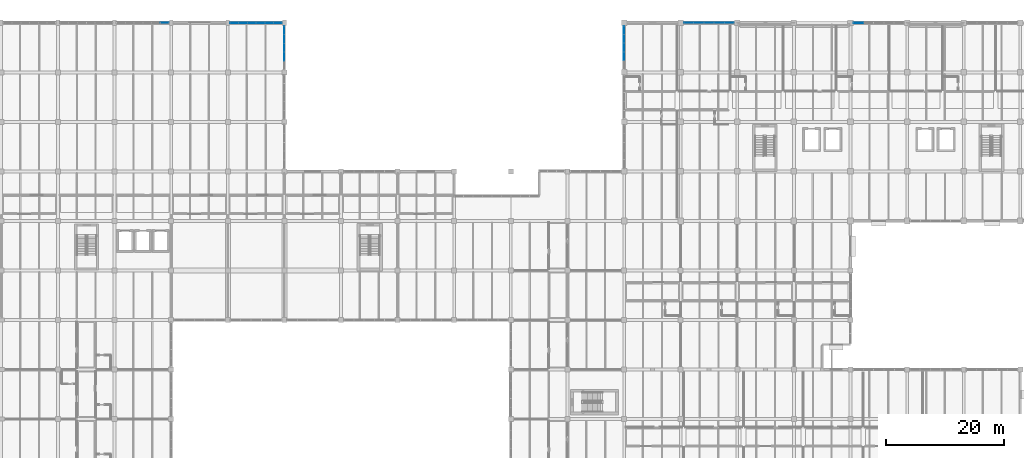
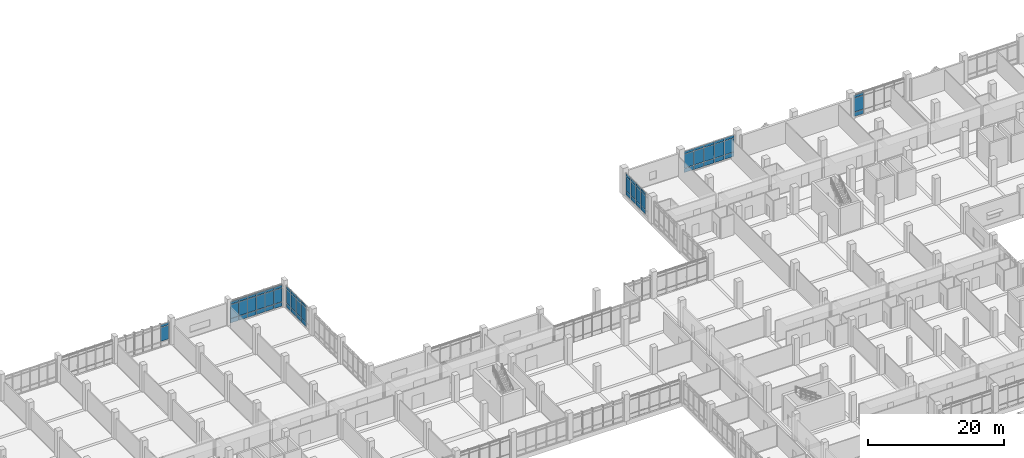
# One storey, part 109 of 152: 62 plates, 6 elements without a shape of their own.
"""IFC4 building model written with IfcOpenShell, lengths in metres."""

from ifc_helpers import new_model, si_unit, direction, frame, origin, origin_2d, place, context, subcontext, project, spatial, rectangle, extrude, material, layer, layer_set, type_object, element, aggregate, save


model = new_model("IFC4")

# Units and contexts
model_context = context("Model", 3, precision=1e-05, world=origin(), true_north=direction((0.0, 1.0)))
body_context = subcontext(model_context, "Body", "Model", "MODEL_VIEW")
ifc_project = project(units=[si_unit("LENGTHUNIT", "METRE"), si_unit("AREAUNIT", "SQUARE_METRE"), si_unit("VOLUMEUNIT", "CUBIC_METRE"), si_unit("PLANEANGLEUNIT", "RADIAN"), si_unit("MASSUNIT", "GRAM", prefix="KILO")], contexts=[model_context])

# Site, building, storey
site_placement = place(None, origin())
site = spatial("IfcSite", under=ifc_project, at=site_placement, CompositionType="ELEMENT")
building_placement = place(site_placement, origin())
building = spatial("IfcBuilding", under=site, at=building_placement, Name="Oolite Switchyard Hospital", CompositionType="ELEMENT")
storey_placement = place(building_placement, frame((0.0, 0.0, 5.10009765625)))
storey = spatial("IfcBuildingStorey", under=building, at=storey_placement, Name="L01", CompositionType="ELEMENT", Elevation=5.10009765625)

# Curtain wall, plates
ifc_material_1 = material(Name="Thermally broken aluminum frame with laminated impact glazing", Category="aluminium")
curtain_wall_type_1 = type_object("IfcCurtainWallType", Name="CW-UNIT-96X48", PredefinedType="USERDEFINED", material=ifc_material_1)
curtain_wall_1_placement = place(storey_placement, origin())
curtain_wall_1 = element("IfcCurtainWall", 1, at=curtain_wall_1_placement, inside=storey, type_object=curtain_wall_type_1, Name="L01 Unitised Curtain Wall 156", ObjectType="UNITISED", PredefinedType="USERDEFINED")
ifc_material_2 = material(Name="Insulated fluoropolymer-coated aluminum spandrel panel", Category="aluminium")
ifc_layer_1 = layer(ifc_material_2, 0.070068359375)
ifc_layer_set_1 = layer_set([ifc_layer_1], Name="CW-PNL-SPN70")
plate_type_1 = type_object("IfcPlateType", Name="CW-PNL-SPN70", PredefinedType="CURTAIN_PANEL", material=ifc_layer_set_1)
plate_1_placement = place(storey_placement, frame((68.30078125, 134.39990234375, 0.06005859375), z_axis=(0.0, 0.0, 1.0), x_axis=(1.0, 0.0, 0.0)))
plate_1 = element("IfcPlate", 2, at=plate_1_placement, type_object=plate_type_1, Name="CW-02 panel 1.1", PredefinedType="CURTAIN_PANEL", context=body_context, shape_type="SweptSolid", body=[
    extrude(rectangle(XDim=1.381591796875, YDim=0.070068359375, at=origin_2d()), origin(), (0.0, 0.0, 1.0), 0.760009765625),
])
plate_2_placement = place(storey_placement, frame((68.30078125, 134.39990234375, 0.8798828125), z_axis=(0.0, 0.0, 1.0), x_axis=(1.0, 0.0, 0.0)))
plate_2 = element("IfcPlate", 3, at=plate_2_placement, type_object=plate_type_1, Name="CW-02 panel 1.2", PredefinedType="CURTAIN_PANEL", context=body_context, shape_type="SweptSolid", body=[
    extrude(rectangle(XDim=1.381591796875, YDim=0.070068359375, at=origin_2d()), origin(), (0.0, 0.0, 1.0), 2.47998046875),
])
plate_3_placement = place(storey_placement, frame((68.30078125, 134.39990234375, 3.419921875), z_axis=(0.0, 0.0, 1.0), x_axis=(1.0, 0.0, 0.0)))
plate_3 = element("IfcPlate", 4, at=plate_3_placement, type_object=plate_type_1, Name="CW-02 panel 1.3", PredefinedType="CURTAIN_PANEL", context=body_context, shape_type="SweptSolid", body=[
    extrude(rectangle(XDim=1.381591796875, YDim=0.070068359375, at=origin_2d()), origin(), (0.0, 0.0, 1.0), 0.4599609375),
])
plate_4_placement = place(storey_placement, frame((69.77001953125, 134.39990234375, 0.06005859375), z_axis=(0.0, 0.0, 1.0), x_axis=(1.0, 0.0, 0.0)))
plate_4 = element("IfcPlate", 5, at=plate_4_placement, type_object=plate_type_1, Name="CW-02 panel 2.1", PredefinedType="CURTAIN_PANEL", context=body_context, shape_type="SweptSolid", body=[
    extrude(rectangle(XDim=1.416748046875, YDim=0.070068359375, at=origin_2d()), origin(), (0.0, 0.0, 1.0), 0.760009765625),
])
plate_5_placement = place(storey_placement, frame((69.77001953125, 134.39990234375, 0.8798828125), z_axis=(0.0, 0.0, 1.0), x_axis=(1.0, 0.0, 0.0)))
plate_5 = element("IfcPlate", 6, at=plate_5_placement, type_object=plate_type_1, Name="CW-02 panel 2.2", PredefinedType="CURTAIN_PANEL", context=body_context, shape_type="SweptSolid", body=[
    extrude(rectangle(XDim=1.416748046875, YDim=0.070068359375, at=origin_2d()), origin(), (0.0, 0.0, 1.0), 2.47998046875),
])
plate_6_placement = place(storey_placement, frame((69.77001953125, 134.39990234375, 3.419921875), z_axis=(0.0, 0.0, 1.0), x_axis=(1.0, 0.0, 0.0)))
plate_6 = element("IfcPlate", 7, at=plate_6_placement, type_object=plate_type_1, Name="CW-02 panel 2.3", PredefinedType="CURTAIN_PANEL", context=body_context, shape_type="SweptSolid", body=[
    extrude(rectangle(XDim=1.416748046875, YDim=0.070068359375, at=origin_2d()), origin(), (0.0, 0.0, 1.0), 0.4599609375),
])
plate_7_placement = place(storey_placement, frame((71.256591796875, 134.39990234375, 0.06005859375), z_axis=(0.0, 0.0, 1.0), x_axis=(1.0, 0.0, 0.0)))
plate_7 = element("IfcPlate", 8, at=plate_7_placement, type_object=plate_type_1, Name="CW-02 panel 3.1", PredefinedType="CURTAIN_PANEL", context=body_context, shape_type="SweptSolid", body=[
    extrude(rectangle(XDim=1.416748046875, YDim=0.070068359375, at=origin_2d()), origin(), (0.0, 0.0, 1.0), 0.760009765625),
])
plate_8_placement = place(storey_placement, frame((71.256591796875, 134.39990234375, 0.8798828125), z_axis=(0.0, 0.0, 1.0), x_axis=(1.0, 0.0, 0.0)))
plate_8 = element("IfcPlate", 9, at=plate_8_placement, type_object=plate_type_1, Name="CW-02 panel 3.2", PredefinedType="CURTAIN_PANEL", context=body_context, shape_type="SweptSolid", body=[
    extrude(rectangle(XDim=1.416748046875, YDim=0.070068359375, at=origin_2d()), origin(), (0.0, 0.0, 1.0), 2.47998046875),
])
plate_9_placement = place(storey_placement, frame((71.256591796875, 134.39990234375, 3.419921875), z_axis=(0.0, 0.0, 1.0), x_axis=(1.0, 0.0, 0.0)))
plate_9 = element("IfcPlate", 10, at=plate_9_placement, type_object=plate_type_1, Name="CW-02 panel 3.3", PredefinedType="CURTAIN_PANEL", context=body_context, shape_type="SweptSolid", body=[
    extrude(rectangle(XDim=1.416748046875, YDim=0.070068359375, at=origin_2d()), origin(), (0.0, 0.0, 1.0), 0.4599609375),
])
plate_10_placement = place(storey_placement, frame((72.743408203125, 134.39990234375, 0.06005859375), z_axis=(0.0, 0.0, 1.0), x_axis=(1.0, 0.0, 0.0)))
plate_10 = element("IfcPlate", 11, at=plate_10_placement, type_object=plate_type_1, Name="CW-02 panel 4.1", PredefinedType="CURTAIN_PANEL", context=body_context, shape_type="SweptSolid", body=[
    extrude(rectangle(XDim=1.416748046875, YDim=0.070068359375, at=origin_2d()), origin(), (0.0, 0.0, 1.0), 0.760009765625),
])
plate_11_placement = place(storey_placement, frame((72.743408203125, 134.39990234375, 0.8798828125), z_axis=(0.0, 0.0, 1.0), x_axis=(1.0, 0.0, 0.0)))
plate_11 = element("IfcPlate", 12, at=plate_11_placement, type_object=plate_type_1, Name="CW-02 panel 4.2", PredefinedType="CURTAIN_PANEL", context=body_context, shape_type="SweptSolid", body=[
    extrude(rectangle(XDim=1.416748046875, YDim=0.070068359375, at=origin_2d()), origin(), (0.0, 0.0, 1.0), 2.47998046875),
])
plate_12_placement = place(storey_placement, frame((72.743408203125, 134.39990234375, 3.419921875), z_axis=(0.0, 0.0, 1.0), x_axis=(1.0, 0.0, 0.0)))
plate_12 = element("IfcPlate", 13, at=plate_12_placement, type_object=plate_type_1, Name="CW-02 panel 4.3", PredefinedType="CURTAIN_PANEL", context=body_context, shape_type="SweptSolid", body=[
    extrude(rectangle(XDim=1.416748046875, YDim=0.070068359375, at=origin_2d()), origin(), (0.0, 0.0, 1.0), 0.4599609375),
])
plate_13_placement = place(storey_placement, frame((74.22998046875, 134.39990234375, 0.06005859375), z_axis=(0.0, 0.0, 1.0), x_axis=(1.0, 0.0, 0.0)))
plate_13 = element("IfcPlate", 14, at=plate_13_placement, type_object=plate_type_1, Name="CW-02 panel 5.1", PredefinedType="CURTAIN_PANEL", context=body_context, shape_type="SweptSolid", body=[
    extrude(rectangle(XDim=1.416748046875, YDim=0.070068359375, at=origin_2d()), origin(), (0.0, 0.0, 1.0), 0.760009765625),
])
plate_14_placement = place(storey_placement, frame((74.22998046875, 134.39990234375, 0.8798828125), z_axis=(0.0, 0.0, 1.0), x_axis=(1.0, 0.0, 0.0)))
plate_14 = element("IfcPlate", 15, at=plate_14_placement, type_object=plate_type_1, Name="CW-02 panel 5.2", PredefinedType="CURTAIN_PANEL", context=body_context, shape_type="SweptSolid", body=[
    extrude(rectangle(XDim=1.416748046875, YDim=0.070068359375, at=origin_2d()), origin(), (0.0, 0.0, 1.0), 2.47998046875),
])
plate_15_placement = place(storey_placement, frame((74.22998046875, 134.39990234375, 3.419921875), z_axis=(0.0, 0.0, 1.0), x_axis=(1.0, 0.0, 0.0)))
plate_15 = element("IfcPlate", 16, at=plate_15_placement, type_object=plate_type_1, Name="CW-02 panel 5.3", PredefinedType="CURTAIN_PANEL", context=body_context, shape_type="SweptSolid", body=[
    extrude(rectangle(XDim=1.416748046875, YDim=0.070068359375, at=origin_2d()), origin(), (0.0, 0.0, 1.0), 0.4599609375),
])
plate_16_placement = place(storey_placement, frame((75.69921875, 134.39990234375, 0.06005859375), z_axis=(0.0, 0.0, 1.0), x_axis=(1.0, 0.0, 0.0)))
plate_16 = element("IfcPlate", 17, at=plate_16_placement, type_object=plate_type_1, Name="CW-02 panel 6.1", PredefinedType="CURTAIN_PANEL", context=body_context, shape_type="SweptSolid", body=[
    extrude(rectangle(XDim=1.381591796875, YDim=0.070068359375, at=origin_2d()), origin(), (0.0, 0.0, 1.0), 0.760009765625),
])
plate_17_placement = place(storey_placement, frame((75.69921875, 134.39990234375, 0.8798828125), z_axis=(0.0, 0.0, 1.0), x_axis=(1.0, 0.0, 0.0)))
plate_17 = element("IfcPlate", 18, at=plate_17_placement, type_object=plate_type_1, Name="CW-02 panel 6.2", PredefinedType="CURTAIN_PANEL", context=body_context, shape_type="SweptSolid", body=[
    extrude(rectangle(XDim=1.381591796875, YDim=0.070068359375, at=origin_2d()), origin(), (0.0, 0.0, 1.0), 2.47998046875),
])
plate_18_placement = place(storey_placement, frame((75.69921875, 134.39990234375, 3.419921875), z_axis=(0.0, 0.0, 1.0), x_axis=(1.0, 0.0, 0.0)))
plate_18 = element("IfcPlate", 19, at=plate_18_placement, type_object=plate_type_1, Name="CW-02 panel 6.3", PredefinedType="CURTAIN_PANEL", context=body_context, shape_type="SweptSolid", body=[
    extrude(rectangle(XDim=1.381591796875, YDim=0.070068359375, at=origin_2d()), origin(), (0.0, 0.0, 1.0), 0.4599609375),
])
aggregate(curtain_wall_1, [plate_1, plate_2, plate_3, plate_4, plate_5, plate_6, plate_7, plate_8, plate_9, plate_10, plate_11, plate_12, plate_13, plate_14, plate_15, plate_16, plate_17, plate_18])

curtain_wall_2_placement = place(storey_placement, origin())
curtain_wall_2 = element("IfcCurtainWall", 20, at=curtain_wall_2_placement, inside=storey, type_object=curtain_wall_type_1, Name="L01 Unitised Curtain Wall 158", ObjectType="UNITISED", PredefinedType="USERDEFINED")
plate_19_placement = place(storey_placement, frame((174.1669921875, 134.39990234375, 0.06005859375), z_axis=(0.0, 0.0, 1.0), x_axis=(1.0, 0.0, 0.0)))
plate_19 = element("IfcPlate", 21, at=plate_19_placement, type_object=plate_type_1, Name="CW-02 panel 1.1", PredefinedType="CURTAIN_PANEL", context=body_context, shape_type="SweptSolid", body=[
    extrude(rectangle(XDim=1.634033203125, YDim=0.070068359375, at=origin_2d()), origin(), (0.0, 0.0, 1.0), 0.760009765625),
])
plate_20_placement = place(storey_placement, frame((174.1669921875, 134.39990234375, 0.8798828125), z_axis=(0.0, 0.0, 1.0), x_axis=(1.0, 0.0, 0.0)))
plate_20 = element("IfcPlate", 22, at=plate_20_placement, type_object=plate_type_1, Name="CW-02 panel 1.2", PredefinedType="CURTAIN_PANEL", context=body_context, shape_type="SweptSolid", body=[
    extrude(rectangle(XDim=1.634033203125, YDim=0.070068359375, at=origin_2d()), origin(), (0.0, 0.0, 1.0), 2.47998046875),
])
plate_21_placement = place(storey_placement, frame((174.1669921875, 134.39990234375, 3.419921875), z_axis=(0.0, 0.0, 1.0), x_axis=(1.0, 0.0, 0.0)))
plate_21 = element("IfcPlate", 23, at=plate_21_placement, type_object=plate_type_1, Name="CW-02 panel 1.3", PredefinedType="CURTAIN_PANEL", context=body_context, shape_type="SweptSolid", body=[
    extrude(rectangle(XDim=1.634033203125, YDim=0.070068359375, at=origin_2d()), origin(), (0.0, 0.0, 1.0), 0.4599609375),
])
aggregate(curtain_wall_2, [plate_19, plate_20, plate_21])

curtain_wall_type_2 = type_object("IfcCurtainWallType", Name="CW-UNIT-84X48", PredefinedType="USERDEFINED", material=ifc_material_1)
curtain_wall_3_placement = place(storey_placement, origin())
curtain_wall_3 = element("IfcCurtainWall", 24, at=curtain_wall_3_placement, inside=storey, type_object=curtain_wall_type_2, Name="L01 Unitised Curtain Wall 178", ObjectType="UNITISED", PredefinedType="USERDEFINED")
ifc_material_3 = material(Name="Laminated hurricane-impact insulated glazing unit", Category="glass")
ifc_layer_2 = layer(ifc_material_3, 0.031982421875)
ifc_layer_set_2 = layer_set([ifc_layer_2], Name="CW-PNL-VIS32")
plate_type_2 = type_object("IfcPlateType", Name="CW-PNL-VIS32", PredefinedType="CURTAIN_PANEL", material=ifc_layer_set_2)
plate_22_placement = place(storey_placement, frame((76.800048828125, 133.144287109375, 0.06005859375), z_axis=(0.0, 0.0, 1.0), x_axis=(0.0, -1.0, 0.0)))
plate_22 = element("IfcPlate", 25, at=plate_22_placement, type_object=plate_type_2, Name="CW-07 panel 1.1", PredefinedType="CURTAIN_PANEL", context=body_context, shape_type="SweptSolid", body=[
    extrude(rectangle(XDim=1.381591796875, YDim=0.031982421875, at=origin_2d()), origin(), (0.0, 0.0, 1.0), 0.760009765625),
])
plate_23_placement = place(storey_placement, frame((76.800048828125, 133.144287109375, 0.8798828125), z_axis=(0.0, 0.0, 1.0), x_axis=(0.0, -1.0, 0.0)))
plate_23 = element("IfcPlate", 26, at=plate_23_placement, type_object=plate_type_2, Name="CW-07 panel 1.2", PredefinedType="CURTAIN_PANEL", context=body_context, shape_type="SweptSolid", body=[
    extrude(rectangle(XDim=1.381591796875, YDim=0.031982421875, at=origin_2d()), origin(), (0.0, 0.0, 1.0), 2.47998046875),
])
plate_24_placement = place(storey_placement, frame((76.800048828125, 133.144287109375, 3.419921875), z_axis=(0.0, 0.0, 1.0), x_axis=(0.0, -1.0, 0.0)))
plate_24 = element("IfcPlate", 27, at=plate_24_placement, type_object=plate_type_2, Name="CW-07 panel 1.3", PredefinedType="CURTAIN_PANEL", context=body_context, shape_type="SweptSolid", body=[
    extrude(rectangle(XDim=1.381591796875, YDim=0.031982421875, at=origin_2d()), origin(), (0.0, 0.0, 1.0), 0.4599609375),
])
plate_25_placement = place(storey_placement, frame((76.800048828125, 131.6689453125, 0.06005859375), z_axis=(0.0, 0.0, 1.0), x_axis=(0.0, -1.0, 0.0)))
plate_25 = element("IfcPlate", 28, at=plate_25_placement, type_object=plate_type_2, Name="CW-07 panel 2.1", PredefinedType="CURTAIN_PANEL", context=body_context, shape_type="SweptSolid", body=[
    extrude(rectangle(XDim=1.4189453125, YDim=0.031982421875, at=origin_2d()), origin(), (0.0, 0.0, 1.0), 0.760009765625),
])
plate_26_placement = place(storey_placement, frame((76.800048828125, 131.6689453125, 0.8798828125), z_axis=(0.0, 0.0, 1.0), x_axis=(0.0, -1.0, 0.0)))
plate_26 = element("IfcPlate", 29, at=plate_26_placement, type_object=plate_type_2, Name="CW-07 panel 2.2", PredefinedType="CURTAIN_PANEL", context=body_context, shape_type="SweptSolid", body=[
    extrude(rectangle(XDim=1.4189453125, YDim=0.031982421875, at=origin_2d()), origin(), (0.0, 0.0, 1.0), 2.47998046875),
])
plate_27_placement = place(storey_placement, frame((76.800048828125, 131.6689453125, 3.419921875), z_axis=(0.0, 0.0, 1.0), x_axis=(0.0, -1.0, 0.0)))
plate_27 = element("IfcPlate", 30, at=plate_27_placement, type_object=plate_type_2, Name="CW-07 panel 2.3", PredefinedType="CURTAIN_PANEL", context=body_context, shape_type="SweptSolid", body=[
    extrude(rectangle(XDim=1.4189453125, YDim=0.031982421875, at=origin_2d()), origin(), (0.0, 0.0, 1.0), 0.4599609375),
])
plate_28_placement = place(storey_placement, frame((76.800048828125, 130.175048828125, 0.06005859375), z_axis=(0.0, 0.0, 1.0), x_axis=(0.0, -1.0, 0.0)))
plate_28 = element("IfcPlate", 31, at=plate_28_placement, type_object=plate_type_2, Name="CW-07 panel 3.1", PredefinedType="CURTAIN_PANEL", context=body_context, shape_type="SweptSolid", body=[
    extrude(rectangle(XDim=1.4189453125, YDim=0.031982421875, at=origin_2d()), origin(), (0.0, 0.0, 1.0), 0.760009765625),
])
plate_29_placement = place(storey_placement, frame((76.800048828125, 130.175048828125, 0.8798828125), z_axis=(0.0, 0.0, 1.0), x_axis=(0.0, -1.0, 0.0)))
plate_29 = element("IfcPlate", 32, at=plate_29_placement, type_object=plate_type_2, Name="CW-07 panel 3.2", PredefinedType="CURTAIN_PANEL", context=body_context, shape_type="SweptSolid", body=[
    extrude(rectangle(XDim=1.4189453125, YDim=0.031982421875, at=origin_2d()), origin(), (0.0, 0.0, 1.0), 2.47998046875),
])
plate_30_placement = place(storey_placement, frame((76.800048828125, 130.175048828125, 3.419921875), z_axis=(0.0, 0.0, 1.0), x_axis=(0.0, -1.0, 0.0)))
plate_30 = element("IfcPlate", 33, at=plate_30_placement, type_object=plate_type_2, Name="CW-07 panel 3.3", PredefinedType="CURTAIN_PANEL", context=body_context, shape_type="SweptSolid", body=[
    extrude(rectangle(XDim=1.4189453125, YDim=0.031982421875, at=origin_2d()), origin(), (0.0, 0.0, 1.0), 0.4599609375),
])
plate_31_placement = place(storey_placement, frame((76.800048828125, 128.680908203125, 0.06005859375), z_axis=(0.0, 0.0, 1.0), x_axis=(0.0, -1.0, 0.0)))
plate_31 = element("IfcPlate", 34, at=plate_31_placement, type_object=plate_type_2, Name="CW-07 panel 4.1", PredefinedType="CURTAIN_PANEL", context=body_context, shape_type="SweptSolid", body=[
    extrude(rectangle(XDim=1.4189453125, YDim=0.031982421875, at=origin_2d()), origin(), (0.0, 0.0, 1.0), 0.760009765625),
])
plate_32_placement = place(storey_placement, frame((76.800048828125, 128.680908203125, 0.8798828125), z_axis=(0.0, 0.0, 1.0), x_axis=(0.0, -1.0, 0.0)))
plate_32 = element("IfcPlate", 35, at=plate_32_placement, type_object=plate_type_2, Name="CW-07 panel 4.2", PredefinedType="CURTAIN_PANEL", context=body_context, shape_type="SweptSolid", body=[
    extrude(rectangle(XDim=1.4189453125, YDim=0.031982421875, at=origin_2d()), origin(), (0.0, 0.0, 1.0), 2.47998046875),
])
plate_33_placement = place(storey_placement, frame((76.800048828125, 128.680908203125, 3.419921875), z_axis=(0.0, 0.0, 1.0), x_axis=(0.0, -1.0, 0.0)))
plate_33 = element("IfcPlate", 36, at=plate_33_placement, type_object=plate_type_2, Name="CW-07 panel 4.3", PredefinedType="CURTAIN_PANEL", context=body_context, shape_type="SweptSolid", body=[
    extrude(rectangle(XDim=1.4189453125, YDim=0.031982421875, at=origin_2d()), origin(), (0.0, 0.0, 1.0), 0.4599609375),
])
aggregate(curtain_wall_3, [plate_22, plate_23, plate_24, plate_25, plate_26, plate_27, plate_28, plate_29, plate_30, plate_31, plate_32, plate_33])

curtain_wall_4_placement = place(storey_placement, origin())
curtain_wall_4 = element("IfcCurtainWall", 37, at=curtain_wall_4_placement, inside=storey, type_object=curtain_wall_type_1, Name="L01 Unitised Curtain Wall 155", ObjectType="UNITISED", PredefinedType="USERDEFINED")
ifc_layer_3 = layer(ifc_material_3, 0.035888671875)
ifc_layer_set_3 = layer_set([ifc_layer_3], Name="CW-PNL-VIS36")
plate_type_3 = type_object("IfcPlateType", Name="CW-PNL-VIS36", PredefinedType="CURTAIN_PANEL", material=ifc_layer_set_3)
plate_34_placement = place(storey_placement, frame((56.501708984375, 134.39990234375, 0.88720703125), z_axis=(0.0, 0.0, 1.0), x_axis=(1.0, 0.0, 0.0)))
plate_34 = element("IfcPlate", 38, at=plate_34_placement, type_object=plate_type_3, Name="CW-02 panel 6.2", PredefinedType="CURTAIN_PANEL", context=body_context, shape_type="SweptSolid", body=[
    extrude(rectangle(XDim=1.396728515625, YDim=0.035888671875, at=origin_2d()), origin(), (0.0, 0.0, 1.0), 2.465087890625),
])
plate_35_placement = place(storey_placement, frame((56.501708984375, 134.39990234375, 3.427490234375), z_axis=(0.0, 0.0, 1.0), x_axis=(1.0, 0.0, 0.0)))
plate_35 = element("IfcPlate", 39, at=plate_35_placement, type_object=plate_type_3, Name="CW-02 panel 6.3", PredefinedType="CURTAIN_PANEL", context=body_context, shape_type="SweptSolid", body=[
    extrude(rectangle(XDim=1.396728515625, YDim=0.035888671875, at=origin_2d()), origin(), (0.0, 0.0, 1.0), 0.4375),
])
aggregate(curtain_wall_4, [plate_34, plate_35])

curtain_wall_5_placement = place(storey_placement, origin())
curtain_wall_5 = element("IfcCurtainWall", 40, at=curtain_wall_5_placement, inside=storey, type_object=curtain_wall_type_1, Name="L01 Unitised Curtain Wall 157", ObjectType="UNITISED", PredefinedType="USERDEFINED")
plate_36_placement = place(storey_placement, frame((145.370849609375, 134.39990234375, 0.07470703125), z_axis=(0.0, 0.0, 1.0), x_axis=(1.0, 0.0, 0.0)))
plate_36 = element("IfcPlate", 41, at=plate_36_placement, type_object=plate_type_3, Name="CW-02 panel 1.1", PredefinedType="CURTAIN_PANEL", context=body_context, shape_type="SweptSolid", body=[
    extrude(rectangle(XDim=1.611572265625, YDim=0.035888671875, at=origin_2d()), origin(), (0.0, 0.0, 1.0), 0.737548828125),
])
plate_37_placement = place(storey_placement, frame((145.370849609375, 134.39990234375, 0.88720703125), z_axis=(0.0, 0.0, 1.0), x_axis=(1.0, 0.0, 0.0)))
plate_37 = element("IfcPlate", 42, at=plate_37_placement, type_object=plate_type_3, Name="CW-02 panel 1.2", PredefinedType="CURTAIN_PANEL", context=body_context, shape_type="SweptSolid", body=[
    extrude(rectangle(XDim=1.611572265625, YDim=0.035888671875, at=origin_2d()), origin(), (0.0, 0.0, 1.0), 2.465087890625),
])
plate_38_placement = place(storey_placement, frame((145.370849609375, 134.39990234375, 3.427490234375), z_axis=(0.0, 0.0, 1.0), x_axis=(1.0, 0.0, 0.0)))
plate_38 = element("IfcPlate", 43, at=plate_38_placement, type_object=plate_type_3, Name="CW-02 panel 1.3", PredefinedType="CURTAIN_PANEL", context=body_context, shape_type="SweptSolid", body=[
    extrude(rectangle(XDim=1.611572265625, YDim=0.035888671875, at=origin_2d()), origin(), (0.0, 0.0, 1.0), 0.4375),
])
plate_39_placement = place(storey_placement, frame((147.075927734375, 134.39990234375, 0.07470703125), z_axis=(0.0, 0.0, 1.0), x_axis=(1.0, 0.0, 0.0)))
plate_39 = element("IfcPlate", 44, at=plate_39_placement, type_object=plate_type_3, Name="CW-02 panel 2.1", PredefinedType="CURTAIN_PANEL", context=body_context, shape_type="SweptSolid", body=[
    extrude(rectangle(XDim=1.64892578125, YDim=0.035888671875, at=origin_2d()), origin(), (0.0, 0.0, 1.0), 0.737548828125),
])
plate_40_placement = place(storey_placement, frame((147.075927734375, 134.39990234375, 0.88720703125), z_axis=(0.0, 0.0, 1.0), x_axis=(1.0, 0.0, 0.0)))
plate_40 = element("IfcPlate", 45, at=plate_40_placement, type_object=plate_type_3, Name="CW-02 panel 2.2", PredefinedType="CURTAIN_PANEL", context=body_context, shape_type="SweptSolid", body=[
    extrude(rectangle(XDim=1.64892578125, YDim=0.035888671875, at=origin_2d()), origin(), (0.0, 0.0, 1.0), 2.465087890625),
])
plate_41_placement = place(storey_placement, frame((147.075927734375, 134.39990234375, 3.427490234375), z_axis=(0.0, 0.0, 1.0), x_axis=(1.0, 0.0, 0.0)))
plate_41 = element("IfcPlate", 46, at=plate_41_placement, type_object=plate_type_3, Name="CW-02 panel 2.3", PredefinedType="CURTAIN_PANEL", context=body_context, shape_type="SweptSolid", body=[
    extrude(rectangle(XDim=1.64892578125, YDim=0.035888671875, at=origin_2d()), origin(), (0.0, 0.0, 1.0), 0.4375),
])
plate_42_placement = place(storey_placement, frame((148.800048828125, 134.39990234375, 0.07470703125), z_axis=(0.0, 0.0, 1.0), x_axis=(1.0, 0.0, 0.0)))
plate_42 = element("IfcPlate", 47, at=plate_42_placement, type_object=plate_type_3, Name="CW-02 panel 3.1", PredefinedType="CURTAIN_PANEL", context=body_context, shape_type="SweptSolid", body=[
    extrude(rectangle(XDim=1.64892578125, YDim=0.035888671875, at=origin_2d()), origin(), (0.0, 0.0, 1.0), 0.737548828125),
])
plate_43_placement = place(storey_placement, frame((148.800048828125, 134.39990234375, 0.88720703125), z_axis=(0.0, 0.0, 1.0), x_axis=(1.0, 0.0, 0.0)))
plate_43 = element("IfcPlate", 48, at=plate_43_placement, type_object=plate_type_3, Name="CW-02 panel 3.2", PredefinedType="CURTAIN_PANEL", context=body_context, shape_type="SweptSolid", body=[
    extrude(rectangle(XDim=1.64892578125, YDim=0.035888671875, at=origin_2d()), origin(), (0.0, 0.0, 1.0), 2.465087890625),
])
plate_44_placement = place(storey_placement, frame((148.800048828125, 134.39990234375, 3.427490234375), z_axis=(0.0, 0.0, 1.0), x_axis=(1.0, 0.0, 0.0)))
plate_44 = element("IfcPlate", 49, at=plate_44_placement, type_object=plate_type_3, Name="CW-02 panel 3.3", PredefinedType="CURTAIN_PANEL", context=body_context, shape_type="SweptSolid", body=[
    extrude(rectangle(XDim=1.64892578125, YDim=0.035888671875, at=origin_2d()), origin(), (0.0, 0.0, 1.0), 0.4375),
])
plate_45_placement = place(storey_placement, frame((150.52392578125, 134.39990234375, 0.07470703125), z_axis=(0.0, 0.0, 1.0), x_axis=(1.0, 0.0, 0.0)))
plate_45 = element("IfcPlate", 50, at=plate_45_placement, type_object=plate_type_3, Name="CW-02 panel 4.1", PredefinedType="CURTAIN_PANEL", context=body_context, shape_type="SweptSolid", body=[
    extrude(rectangle(XDim=1.64892578125, YDim=0.035888671875, at=origin_2d()), origin(), (0.0, 0.0, 1.0), 0.737548828125),
])
plate_46_placement = place(storey_placement, frame((150.52392578125, 134.39990234375, 0.88720703125), z_axis=(0.0, 0.0, 1.0), x_axis=(1.0, 0.0, 0.0)))
plate_46 = element("IfcPlate", 51, at=plate_46_placement, type_object=plate_type_3, Name="CW-02 panel 4.2", PredefinedType="CURTAIN_PANEL", context=body_context, shape_type="SweptSolid", body=[
    extrude(rectangle(XDim=1.64892578125, YDim=0.035888671875, at=origin_2d()), origin(), (0.0, 0.0, 1.0), 2.465087890625),
])
plate_47_placement = place(storey_placement, frame((150.52392578125, 134.39990234375, 3.427490234375), z_axis=(0.0, 0.0, 1.0), x_axis=(1.0, 0.0, 0.0)))
plate_47 = element("IfcPlate", 52, at=plate_47_placement, type_object=plate_type_3, Name="CW-02 panel 4.3", PredefinedType="CURTAIN_PANEL", context=body_context, shape_type="SweptSolid", body=[
    extrude(rectangle(XDim=1.64892578125, YDim=0.035888671875, at=origin_2d()), origin(), (0.0, 0.0, 1.0), 0.4375),
])
plate_48_placement = place(storey_placement, frame((152.229248046875, 134.39990234375, 0.07470703125), z_axis=(0.0, 0.0, 1.0), x_axis=(1.0, 0.0, 0.0)))
plate_48 = element("IfcPlate", 53, at=plate_48_placement, type_object=plate_type_3, Name="CW-02 panel 5.1", PredefinedType="CURTAIN_PANEL", context=body_context, shape_type="SweptSolid", body=[
    extrude(rectangle(XDim=1.611572265625, YDim=0.035888671875, at=origin_2d()), origin(), (0.0, 0.0, 1.0), 0.737548828125),
])
plate_49_placement = place(storey_placement, frame((152.229248046875, 134.39990234375, 0.88720703125), z_axis=(0.0, 0.0, 1.0), x_axis=(1.0, 0.0, 0.0)))
plate_49 = element("IfcPlate", 54, at=plate_49_placement, type_object=plate_type_3, Name="CW-02 panel 5.2", PredefinedType="CURTAIN_PANEL", context=body_context, shape_type="SweptSolid", body=[
    extrude(rectangle(XDim=1.611572265625, YDim=0.035888671875, at=origin_2d()), origin(), (0.0, 0.0, 1.0), 2.465087890625),
])
plate_50_placement = place(storey_placement, frame((152.229248046875, 134.39990234375, 3.427490234375), z_axis=(0.0, 0.0, 1.0), x_axis=(1.0, 0.0, 0.0)))
plate_50 = element("IfcPlate", 55, at=plate_50_placement, type_object=plate_type_3, Name="CW-02 panel 5.3", PredefinedType="CURTAIN_PANEL", context=body_context, shape_type="SweptSolid", body=[
    extrude(rectangle(XDim=1.611572265625, YDim=0.035888671875, at=origin_2d()), origin(), (0.0, 0.0, 1.0), 0.4375),
])
aggregate(curtain_wall_5, [plate_36, plate_37, plate_38, plate_39, plate_40, plate_41, plate_42, plate_43, plate_44, plate_45, plate_46, plate_47, plate_48, plate_49, plate_50])

curtain_wall_6_placement = place(storey_placement, origin())
curtain_wall_6 = element("IfcCurtainWall", 56, at=curtain_wall_6_placement, inside=storey, type_object=curtain_wall_type_2, Name="L01 Unitised Curtain Wall 190", ObjectType="UNITISED", PredefinedType="USERDEFINED")
ifc_layer_4 = layer(ifc_material_3, 0.0419921875)
ifc_layer_set_4 = layer_set([ifc_layer_4], Name="CW-PNL-VIS42")
plate_type_4 = type_object("IfcPlateType", Name="CW-PNL-VIS42", PredefinedType="CURTAIN_PANEL", material=ifc_layer_set_4)
plate_51_placement = place(storey_placement, frame((134.39990234375, 128.716064453125, 0.06005859375), z_axis=(0.0, 0.0, 1.0), x_axis=(0.0, 1.0, 0.0)))
plate_51 = element("IfcPlate", 57, at=plate_51_placement, type_object=plate_type_4, Name="CW-07 panel 2.1", PredefinedType="CURTAIN_PANEL", context=body_context, shape_type="SweptSolid", body=[
    extrude(rectangle(XDim=1.408935546875, YDim=0.0419921875, at=origin_2d()), origin(), (0.0, 0.0, 1.0), 0.760009765625),
])
plate_52_placement = place(storey_placement, frame((134.39990234375, 128.716064453125, 0.8798828125), z_axis=(0.0, 0.0, 1.0), x_axis=(0.0, 1.0, 0.0)))
plate_52 = element("IfcPlate", 58, at=plate_52_placement, type_object=plate_type_4, Name="CW-07 panel 2.2", PredefinedType="CURTAIN_PANEL", context=body_context, shape_type="SweptSolid", body=[
    extrude(rectangle(XDim=1.408935546875, YDim=0.0419921875, at=origin_2d()), origin(), (0.0, 0.0, 1.0), 2.47998046875),
])
plate_53_placement = place(storey_placement, frame((134.39990234375, 128.716064453125, 3.419921875), z_axis=(0.0, 0.0, 1.0), x_axis=(0.0, 1.0, 0.0)))
plate_53 = element("IfcPlate", 59, at=plate_53_placement, type_object=plate_type_4, Name="CW-07 panel 2.3", PredefinedType="CURTAIN_PANEL", context=body_context, shape_type="SweptSolid", body=[
    extrude(rectangle(XDim=1.408935546875, YDim=0.0419921875, at=origin_2d()), origin(), (0.0, 0.0, 1.0), 0.4599609375),
])
plate_54_placement = place(storey_placement, frame((134.39990234375, 130.199951171875, 0.06005859375), z_axis=(0.0, 0.0, 1.0), x_axis=(0.0, 1.0, 0.0)))
plate_54 = element("IfcPlate", 60, at=plate_54_placement, type_object=plate_type_4, Name="CW-07 panel 3.1", PredefinedType="CURTAIN_PANEL", context=body_context, shape_type="SweptSolid", body=[
    extrude(rectangle(XDim=1.408935546875, YDim=0.0419921875, at=origin_2d()), origin(), (0.0, 0.0, 1.0), 0.760009765625),
])
plate_55_placement = place(storey_placement, frame((134.39990234375, 130.199951171875, 0.8798828125), z_axis=(0.0, 0.0, 1.0), x_axis=(0.0, 1.0, 0.0)))
plate_55 = element("IfcPlate", 61, at=plate_55_placement, type_object=plate_type_4, Name="CW-07 panel 3.2", PredefinedType="CURTAIN_PANEL", context=body_context, shape_type="SweptSolid", body=[
    extrude(rectangle(XDim=1.408935546875, YDim=0.0419921875, at=origin_2d()), origin(), (0.0, 0.0, 1.0), 2.47998046875),
])
plate_56_placement = place(storey_placement, frame((134.39990234375, 130.199951171875, 3.419921875), z_axis=(0.0, 0.0, 1.0), x_axis=(0.0, 1.0, 0.0)))
plate_56 = element("IfcPlate", 62, at=plate_56_placement, type_object=plate_type_4, Name="CW-07 panel 3.3", PredefinedType="CURTAIN_PANEL", context=body_context, shape_type="SweptSolid", body=[
    extrude(rectangle(XDim=1.408935546875, YDim=0.0419921875, at=origin_2d()), origin(), (0.0, 0.0, 1.0), 0.4599609375),
])
plate_57_placement = place(storey_placement, frame((134.39990234375, 131.68408203125, 0.06005859375), z_axis=(0.0, 0.0, 1.0), x_axis=(0.0, 1.0, 0.0)))
plate_57 = element("IfcPlate", 63, at=plate_57_placement, type_object=plate_type_4, Name="CW-07 panel 4.1", PredefinedType="CURTAIN_PANEL", context=body_context, shape_type="SweptSolid", body=[
    extrude(rectangle(XDim=1.408935546875, YDim=0.0419921875, at=origin_2d()), origin(), (0.0, 0.0, 1.0), 0.760009765625),
])
plate_58_placement = place(storey_placement, frame((134.39990234375, 131.68408203125, 0.8798828125), z_axis=(0.0, 0.0, 1.0), x_axis=(0.0, 1.0, 0.0)))
plate_58 = element("IfcPlate", 64, at=plate_58_placement, type_object=plate_type_4, Name="CW-07 panel 4.2", PredefinedType="CURTAIN_PANEL", context=body_context, shape_type="SweptSolid", body=[
    extrude(rectangle(XDim=1.408935546875, YDim=0.0419921875, at=origin_2d()), origin(), (0.0, 0.0, 1.0), 2.47998046875),
])
plate_59_placement = place(storey_placement, frame((134.39990234375, 131.68408203125, 3.419921875), z_axis=(0.0, 0.0, 1.0), x_axis=(0.0, 1.0, 0.0)))
plate_59 = element("IfcPlate", 65, at=plate_59_placement, type_object=plate_type_4, Name="CW-07 panel 4.3", PredefinedType="CURTAIN_PANEL", context=body_context, shape_type="SweptSolid", body=[
    extrude(rectangle(XDim=1.408935546875, YDim=0.0419921875, at=origin_2d()), origin(), (0.0, 0.0, 1.0), 0.4599609375),
])
plate_60_placement = place(storey_placement, frame((134.39990234375, 133.149169921875, 0.06005859375), z_axis=(0.0, 0.0, 1.0), x_axis=(0.0, 1.0, 0.0)))
plate_60 = element("IfcPlate", 66, at=plate_60_placement, type_object=plate_type_4, Name="CW-07 panel 5.1", PredefinedType="CURTAIN_PANEL", context=body_context, shape_type="SweptSolid", body=[
    extrude(rectangle(XDim=1.37158203125, YDim=0.0419921875, at=origin_2d()), origin(), (0.0, 0.0, 1.0), 0.760009765625),
])
plate_61_placement = place(storey_placement, frame((134.39990234375, 133.149169921875, 0.8798828125), z_axis=(0.0, 0.0, 1.0), x_axis=(0.0, 1.0, 0.0)))
plate_61 = element("IfcPlate", 67, at=plate_61_placement, type_object=plate_type_4, Name="CW-07 panel 5.2", PredefinedType="CURTAIN_PANEL", context=body_context, shape_type="SweptSolid", body=[
    extrude(rectangle(XDim=1.37158203125, YDim=0.0419921875, at=origin_2d()), origin(), (0.0, 0.0, 1.0), 2.47998046875),
])
plate_62_placement = place(storey_placement, frame((134.39990234375, 133.149169921875, 3.419921875), z_axis=(0.0, 0.0, 1.0), x_axis=(0.0, 1.0, 0.0)))
plate_62 = element("IfcPlate", 68, at=plate_62_placement, type_object=plate_type_4, Name="CW-07 panel 5.3", PredefinedType="CURTAIN_PANEL", context=body_context, shape_type="SweptSolid", body=[
    extrude(rectangle(XDim=1.37158203125, YDim=0.0419921875, at=origin_2d()), origin(), (0.0, 0.0, 1.0), 0.4599609375),
])
aggregate(curtain_wall_6, [plate_51, plate_52, plate_53, plate_54, plate_55, plate_56, plate_57, plate_58, plate_59, plate_60, plate_61, plate_62])

save(model, "model.ifc")
